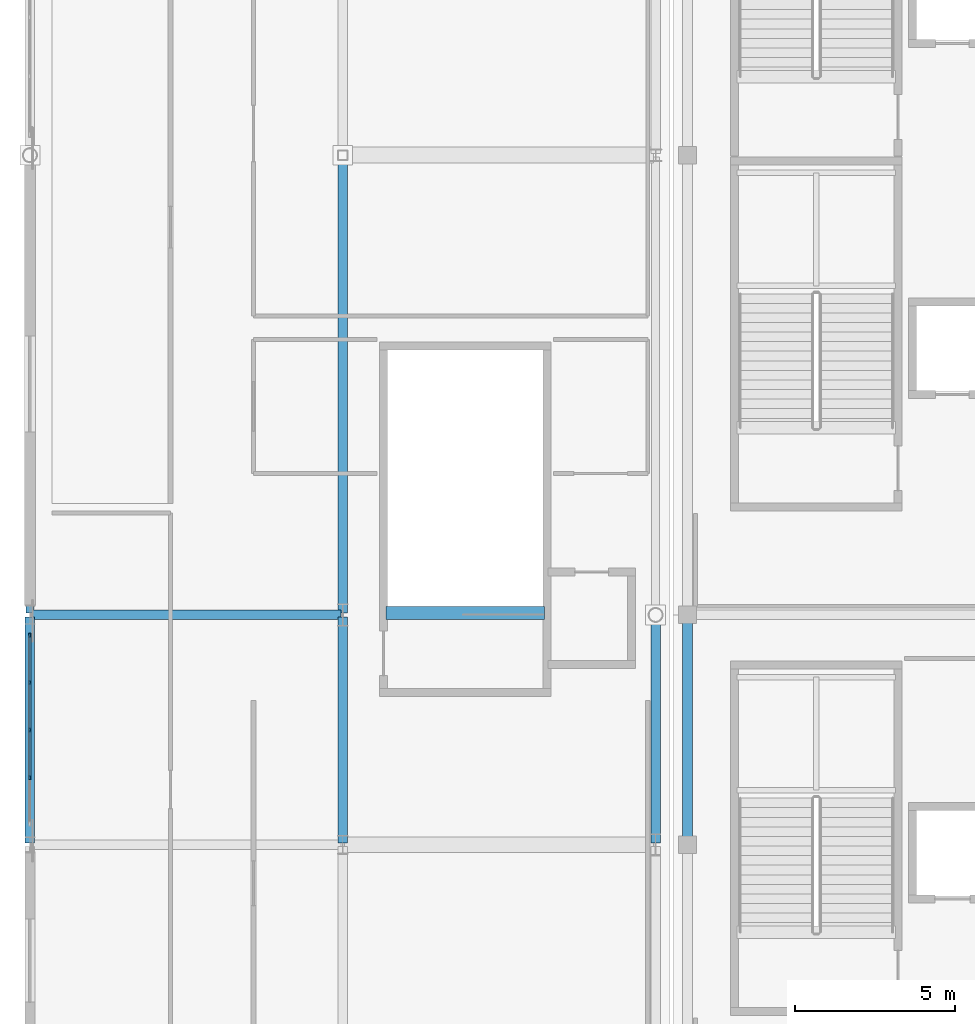
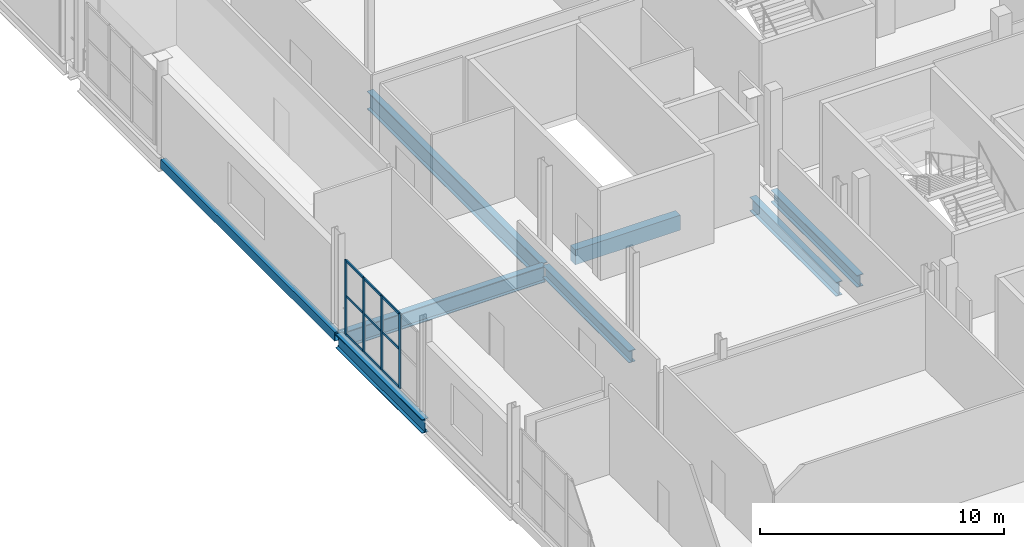
# One storey, part 20 of 142: 13 members, 8 beams, 1 element without a shape of its own.
"""IFC4 building model written with IfcOpenShell, lengths in metres."""

from ifc_helpers import new_model, si_unit, direction, frame, origin, origin_2d, place, context, subcontext, project, spatial, rectangle, hollow_rectangle, i_section, extrude, material, material_profile, profile_set, type_object, element, aggregate, save


model = new_model("IFC4")

# Units and contexts
model_context = context("Model", 3, precision=1e-05, world=origin(), true_north=direction((0.0, 1.0)))
body_context = subcontext(model_context, "Body", "Model", "MODEL_VIEW")
ifc_project = project(units=[si_unit("LENGTHUNIT", "METRE"), si_unit("AREAUNIT", "SQUARE_METRE"), si_unit("VOLUMEUNIT", "CUBIC_METRE"), si_unit("PLANEANGLEUNIT", "RADIAN"), si_unit("MASSUNIT", "GRAM", prefix="KILO")], contexts=[model_context])

# Site, building, storey
site_placement = place(None, origin())
site = spatial("IfcSite", under=ifc_project, at=site_placement, CompositionType="ELEMENT")
building_placement = place(site_placement, origin())
building = spatial("IfcBuilding", under=site, at=building_placement, Name="Koshinbarg Plaza Stadium", CompositionType="ELEMENT")
storey_placement = place(building_placement, frame((0.0, 0.0, 10.199951171875)))
storey = spatial("IfcBuildingStorey", under=building, at=storey_placement, Name="L02", CompositionType="ELEMENT", Elevation=10.199951171875)

# Beams
ifc_material_1 = material(Name="Concrete C40/50", Category="concrete")
ifc_material_profile_1 = material_profile(ifc_material_1, rectangle(XDim=0.39990234375, YDim=0.75, at=origin_2d()), Name="RC 400x750")
ifc_profile_set_1 = profile_set([ifc_material_profile_1], Name="Concrete C40/50")
beam_type_1 = type_object("IfcBeamType", Name="BM-RCG-03", PredefinedType="USERDEFINED", material=ifc_profile_set_1)
beam_1_placement = place(storey_placement, frame((15.14990234375, 54.360107421875, -0.375), z_axis=(1.0, 0.0, 0.0), x_axis=(0.0, 1.0, 0.0)))
element("IfcBeam", 1, at=beam_1_placement, inside=storey, type_object=beam_type_1, Name="L02 stair landing header beam C16", ObjectType="GIRDER", PredefinedType="USERDEFINED", context=body_context, shape_type="SweptSolid", body=[
    extrude(rectangle(XDim=0.39990234375, YDim=0.75, at=origin_2d()), origin(), (0.0, 0.0, 1.0), 4.97021484375),
])
ifc_material_2 = material(Name="Steel S355", Category="steel")
ifc_material_profile_2 = material_profile(ifc_material_2, i_section(OverallWidth=0.300048828125, OverallDepth=0.60009765625, WebThickness=0.015380859375, FlangeThickness=0.030029296875, at=origin_2d()), Name="HEB 600")
ifc_profile_set_2 = profile_set([ifc_material_profile_2], Name="Steel S355")
beam_type_2 = type_object("IfcBeamType", Name="BM-SGIR-02", PredefinedType="USERDEFINED", material=ifc_profile_set_2)
for number, where, z_axis, x_axis, name in (
    (2, (13.800048828125, 47.159912109375, -0.599853515625), (0.0, 1.0, 0.0), (-1.0, 0.0, 0.0), "L02 Y girder 3/G-H"),
    (3, (24.60009765625, 47.159912109375, -0.599853515625), (0.0, 1.0, 0.0), (-1.0, 0.0, 0.0), "L02 Y girder 5/G-H"),
):
    element("IfcBeam", number, at=place(storey_placement, frame(where, z_axis=z_axis, x_axis=x_axis)), inside=storey, type_object=beam_type_2, Name=name, ObjectType="GIRDER", PredefinedType="USERDEFINED", context=body_context, shape_type="SweptSolid", body=[
        extrude(i_section(OverallWidth=0.300048828125, OverallDepth=0.60009765625, WebThickness=0.015380859375, FlangeThickness=0.030029296875, at=origin_2d()), origin(), (0.0, 0.0, 1.0), 7.080078125),
    ])
ifc_material_profile_3 = material_profile(ifc_material_2, i_section(OverallWidth=0.300048828125, OverallDepth=0.699951171875, WebThickness=0.01708984375, FlangeThickness=0.031982421875, at=origin_2d()), Name="HEB 700")
ifc_profile_set_3 = profile_set([ifc_material_profile_3], Name="Steel S355")
beam_type_3 = type_object("IfcBeamType", Name="BM-SGIR-03", PredefinedType="USERDEFINED", material=ifc_profile_set_3)
for number, where, z_axis, x_axis, name in (
    (4, (4.0, 47.159912109375, -0.64990234375), (0.0, 1.0, 0.0), (-1.0, 0.0, 0.0), "L02 Y girder 2/G-H"),
    (5, (23.60009765625, 47.159912109375, -0.64990234375), (0.0, 1.0, 0.0), (-1.0, 0.0, 0.0), "L02 Y girder 4/G-H"),
):
    element("IfcBeam", number, at=place(storey_placement, frame(where, z_axis=z_axis, x_axis=x_axis)), inside=storey, type_object=beam_type_3, Name=name, ObjectType="GIRDER", PredefinedType="USERDEFINED", context=body_context, shape_type="SweptSolid", body=[
        extrude(i_section(OverallWidth=0.300048828125, OverallDepth=0.699951171875, WebThickness=0.01708984375, FlangeThickness=0.031982421875, at=origin_2d()), origin(), (0.0, 0.0, 1.0), 7.080078125),
    ])
ifc_material_profile_4 = material_profile(ifc_material_2, i_section(OverallWidth=0.300048828125, OverallDepth=0.800048828125, WebThickness=0.017578125, FlangeThickness=0.032958984375, at=origin_2d()), Name="HEB 800")
ifc_profile_set_4 = profile_set([ifc_material_profile_4], Name="Steel S355")
beam_type_4 = type_object("IfcBeamType", Name="BM-SGIR-04", PredefinedType="USERDEFINED", material=ifc_profile_set_4)
beam_2_placement = place(storey_placement, frame((4.06005859375, 54.300048828125, -0.699951171875), z_axis=(1.0, 0.0, 0.0), x_axis=(0.0, 1.0, 0.0)))
element("IfcBeam", 6, at=beam_2_placement, inside=storey, type_object=beam_type_4, Name="L02 X girder H/2-3", ObjectType="GIRDER", PredefinedType="USERDEFINED", context=body_context, shape_type="SweptSolid", body=[
    extrude(i_section(OverallWidth=0.300048828125, OverallDepth=0.800048828125, WebThickness=0.017578125, FlangeThickness=0.032958984375, at=origin_2d()), origin(), (0.0, 0.0, 1.0), 9.679931640625),
])
ifc_material_profile_5 = material_profile(ifc_material_2, i_section(OverallWidth=0.300048828125, OverallDepth=0.89990234375, WebThickness=0.0185546875, FlangeThickness=0.034912109375, at=origin_2d()), Name="HEB 900")
ifc_profile_set_5 = profile_set([ifc_material_profile_5], Name="Steel S355")
beam_type_5 = type_object("IfcBeamType", Name="BM-SGIR-05", PredefinedType="USERDEFINED", material=ifc_profile_set_5)
beam_3_placement = place(storey_placement, frame((13.800048828125, 54.360107421875, -0.75), z_axis=(0.0, 1.0, 0.0), x_axis=(-1.0, 0.0, 0.0)))
element("IfcBeam", 7, at=beam_3_placement, inside=storey, type_object=beam_type_5, Name="L02 Y girder 3/H-J", ObjectType="GIRDER", PredefinedType="USERDEFINED", context=body_context, shape_type="SweptSolid", body=[
    extrude(i_section(OverallWidth=0.300048828125, OverallDepth=0.89990234375, WebThickness=0.0185546875, FlangeThickness=0.034912109375, at=origin_2d()), origin(), (0.0, 0.0, 1.0), 14.27978515625),
])
ifc_material_profile_6 = material_profile(ifc_material_2, hollow_rectangle(XDim=0.25, YDim=0.449951171875, WallThickness=0.01611328125, at=origin_2d()), Name="RHS 450x250x16")
ifc_profile_set_6 = profile_set([ifc_material_profile_6], Name="Steel S355")
beam_type_6 = type_object("IfcBeamType", Name="BM-SGIR-06", PredefinedType="USERDEFINED", material=ifc_profile_set_6)
beam_4_placement = place(storey_placement, frame((4.0, 54.360107421875, -0.52490234375), z_axis=(0.0, 1.0, 0.0), x_axis=(-1.0, 0.0, 0.0)))
element("IfcBeam", 8, at=beam_4_placement, inside=storey, type_object=beam_type_6, Name="L02 Y girder 2/H-J", ObjectType="GIRDER", PredefinedType="USERDEFINED", context=body_context, shape_type="SweptSolid", body=[
    extrude(hollow_rectangle(XDim=0.25, YDim=0.449951171875, WallThickness=0.01611328125, at=origin_2d()), origin(), (0.0, 0.0, 1.0), 14.27978515625),
])

# Curtain wall, members
ifc_material_3 = material(Name="Thermally broken anodised aluminium and low-E double glazing", Category="aluminium")
curtain_wall_type = type_object("IfcCurtainWallType", Name="CW-SYS-09", PredefinedType="NOTDEFINED", material=ifc_material_3)
curtain_wall_placement = place(storey_placement, origin())
curtain_wall = element("IfcCurtainWall", 9, at=curtain_wall_placement, inside=storey, type_object=curtain_wall_type, Name="L02 unitised curtain wall CW-L02-040", PredefinedType="NOTDEFINED")
ifc_material_4 = material(Name="Anodised aluminium mullion", Category="aluminium")
ifc_material_profile_7 = material_profile(ifc_material_4, rectangle(XDim=0.06005859375, YDim=0.139892578125, at=origin_2d()), Name="ALU 60x140")
ifc_profile_set_7 = profile_set([ifc_material_profile_7], Name="Anodised aluminium mullion")
member_type_1 = type_object("IfcMemberType", Name="CW-MUL-01", PredefinedType="MULLION", material=ifc_profile_set_7)
member_1_placement = place(storey_placement, frame((4.0, 49.2099609375, 0.0), z_axis=(0.0, 0.0, 1.0), x_axis=(-1.0, 0.0, 0.0)))
member_1 = element("IfcMember", 10, at=member_1_placement, type_object=member_type_1, Name="CW09 mullion 2", PredefinedType="MULLION", context=body_context, shape_type="SweptSolid", body=[
    extrude(rectangle(XDim=0.06005859375, YDim=0.139892578125, at=origin_2d()), origin(), (0.0, 0.0, 1.0), 3.719970703125),
])
member_2_placement = place(storey_placement, frame((4.0, 50.699951171875, 0.0), z_axis=(0.0, 0.0, 1.0), x_axis=(-1.0, 0.0, 0.0)))
member_2 = element("IfcMember", 11, at=member_2_placement, type_object=member_type_1, Name="CW09 mullion 3", PredefinedType="MULLION", context=body_context, shape_type="SweptSolid", body=[
    extrude(rectangle(XDim=0.06005859375, YDim=0.139892578125, at=origin_2d()), origin(), (0.0, 0.0, 1.0), 3.719970703125),
])
member_3_placement = place(storey_placement, frame((4.0, 52.18994140625, 0.0), z_axis=(0.0, 0.0, 1.0), x_axis=(-1.0, 0.0, 0.0)))
member_3 = element("IfcMember", 12, at=member_3_placement, type_object=member_type_1, Name="CW09 mullion 4", PredefinedType="MULLION", context=body_context, shape_type="SweptSolid", body=[
    extrude(rectangle(XDim=0.06005859375, YDim=0.139892578125, at=origin_2d()), origin(), (0.0, 0.0, 1.0), 3.719970703125),
])
member_4_placement = place(storey_placement, frame((4.0, 53.64990234375, 0.0), z_axis=(0.0, 0.0, 1.0), x_axis=(-1.0, 0.0, 0.0)))
member_4 = element("IfcMember", 13, at=member_4_placement, type_object=member_type_1, Name="CW09 mullion 5", PredefinedType="MULLION", context=body_context, shape_type="SweptSolid", body=[
    extrude(rectangle(XDim=0.06005859375, YDim=0.139892578125, at=origin_2d()), origin(), (0.0, 0.0, 1.0), 3.719970703125),
])
ifc_material_5 = material(Name="Anodised aluminium transom", Category="aluminium")
ifc_material_profile_8 = material_profile(ifc_material_5, rectangle(XDim=0.06005859375, YDim=0.110107421875, at=origin_2d()), Name="ALU 60x110")
ifc_profile_set_8 = profile_set([ifc_material_profile_8], Name="Anodised aluminium transom")
member_type_2 = type_object("IfcMemberType", Name="CW-TRN-01", PredefinedType="USERDEFINED", material=ifc_profile_set_8)
member_5_placement = place(storey_placement, frame((4.0, 49.239990234375, 0.030029296875), z_axis=(0.0, 1.0, 0.0), x_axis=(-1.0, 0.0, 0.0)))
member_5 = element("IfcMember", 14, at=member_5_placement, type_object=member_type_2, Name="CW09 transom 2.1", ObjectType="TRANSOM", PredefinedType="USERDEFINED", context=body_context, shape_type="SweptSolid", body=[
    extrude(rectangle(XDim=0.06005859375, YDim=0.110107421875, at=origin_2d()), origin(), (0.0, 0.0, 1.0), 1.429931640625),
])
member_6_placement = place(storey_placement, frame((4.0, 49.239990234375, 1.9345703125), z_axis=(0.0, 1.0, 0.0), x_axis=(-1.0, 0.0, 0.0)))
member_6 = element("IfcMember", 15, at=member_6_placement, type_object=member_type_2, Name="CW09 transom 2.2", ObjectType="TRANSOM", PredefinedType="USERDEFINED", context=body_context, shape_type="SweptSolid", body=[
    extrude(rectangle(XDim=0.06005859375, YDim=0.110107421875, at=origin_2d()), origin(), (0.0, 0.0, 1.0), 1.429931640625),
])
member_7_placement = place(storey_placement, frame((4.0, 49.239990234375, 3.68994140625), z_axis=(0.0, 1.0, 0.0), x_axis=(-1.0, 0.0, 0.0)))
member_7 = element("IfcMember", 16, at=member_7_placement, type_object=member_type_2, Name="CW09 transom 2.3", ObjectType="TRANSOM", PredefinedType="USERDEFINED", context=body_context, shape_type="SweptSolid", body=[
    extrude(rectangle(XDim=0.06005859375, YDim=0.110107421875, at=origin_2d()), origin(), (0.0, 0.0, 1.0), 1.429931640625),
])
member_8_placement = place(storey_placement, frame((4.0, 50.72998046875, 0.030029296875), z_axis=(0.0, 1.0, 0.0), x_axis=(-1.0, 0.0, 0.0)))
member_8 = element("IfcMember", 17, at=member_8_placement, type_object=member_type_2, Name="CW09 transom 3.1", ObjectType="TRANSOM", PredefinedType="USERDEFINED", context=body_context, shape_type="SweptSolid", body=[
    extrude(rectangle(XDim=0.06005859375, YDim=0.110107421875, at=origin_2d()), origin(), (0.0, 0.0, 1.0), 1.429931640625),
])
member_9_placement = place(storey_placement, frame((4.0, 50.72998046875, 1.9345703125), z_axis=(0.0, 1.0, 0.0), x_axis=(-1.0, 0.0, 0.0)))
member_9 = element("IfcMember", 18, at=member_9_placement, type_object=member_type_2, Name="CW09 transom 3.2", ObjectType="TRANSOM", PredefinedType="USERDEFINED", context=body_context, shape_type="SweptSolid", body=[
    extrude(rectangle(XDim=0.06005859375, YDim=0.110107421875, at=origin_2d()), origin(), (0.0, 0.0, 1.0), 1.429931640625),
])
member_10_placement = place(storey_placement, frame((4.0, 50.72998046875, 3.68994140625), z_axis=(0.0, 1.0, 0.0), x_axis=(-1.0, 0.0, 0.0)))
member_10 = element("IfcMember", 19, at=member_10_placement, type_object=member_type_2, Name="CW09 transom 3.3", ObjectType="TRANSOM", PredefinedType="USERDEFINED", context=body_context, shape_type="SweptSolid", body=[
    extrude(rectangle(XDim=0.06005859375, YDim=0.110107421875, at=origin_2d()), origin(), (0.0, 0.0, 1.0), 1.429931640625),
])
member_11_placement = place(storey_placement, frame((4.0, 52.219970703125, 0.030029296875), z_axis=(0.0, 1.0, 0.0), x_axis=(-1.0, 0.0, 0.0)))
member_11 = element("IfcMember", 20, at=member_11_placement, type_object=member_type_2, Name="CW09 transom 4.1", ObjectType="TRANSOM", PredefinedType="USERDEFINED", context=body_context, shape_type="SweptSolid", body=[
    extrude(rectangle(XDim=0.06005859375, YDim=0.110107421875, at=origin_2d()), origin(), (0.0, 0.0, 1.0), 1.400146484375),
])
member_12_placement = place(storey_placement, frame((4.0, 52.219970703125, 1.9345703125), z_axis=(0.0, 1.0, 0.0), x_axis=(-1.0, 0.0, 0.0)))
member_12 = element("IfcMember", 21, at=member_12_placement, type_object=member_type_2, Name="CW09 transom 4.2", ObjectType="TRANSOM", PredefinedType="USERDEFINED", context=body_context, shape_type="SweptSolid", body=[
    extrude(rectangle(XDim=0.06005859375, YDim=0.110107421875, at=origin_2d()), origin(), (0.0, 0.0, 1.0), 1.400146484375),
])
member_13_placement = place(storey_placement, frame((4.0, 52.219970703125, 3.68994140625), z_axis=(0.0, 1.0, 0.0), x_axis=(-1.0, 0.0, 0.0)))
member_13 = element("IfcMember", 22, at=member_13_placement, type_object=member_type_2, Name="CW09 transom 4.3", ObjectType="TRANSOM", PredefinedType="USERDEFINED", context=body_context, shape_type="SweptSolid", body=[
    extrude(rectangle(XDim=0.06005859375, YDim=0.110107421875, at=origin_2d()), origin(), (0.0, 0.0, 1.0), 1.400146484375),
])
aggregate(curtain_wall, [member_1, member_2, member_3, member_4, member_5, member_6, member_7, member_8, member_9, member_10, member_11, member_12, member_13])

save(model, "model.ifc")
